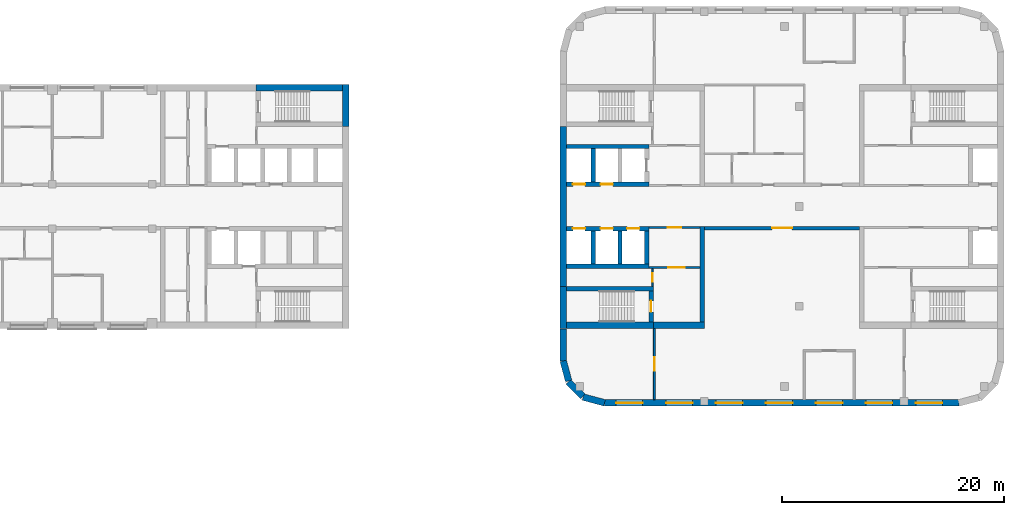
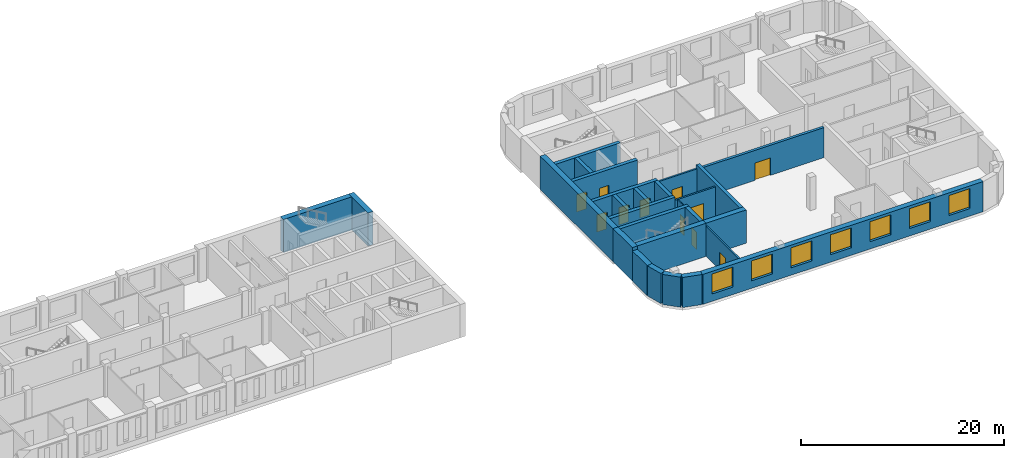
# One storey, part 7 of 12: 27 walls, 11 doors, 7 windows, 18 openings.
"""IFC4 building model written with IfcOpenShell, lengths in metres."""

from ifc_helpers import new_model, si_unit, direction, frame, frame_2d, origin, place, context, subcontext, project, spatial, rectangle, extrude, material, layer, layer_set, type_object, element, fill, save


model = new_model("IFC4")

# Units and contexts
model_context = context("Model", 3, precision=1e-05, world=origin(), true_north=direction((0.0, 1.0)))
body_context = subcontext(model_context, "Body", "Model", "MODEL_VIEW")
ifc_project = project(units=[si_unit("LENGTHUNIT", "METRE"), si_unit("AREAUNIT", "SQUARE_METRE"), si_unit("VOLUMEUNIT", "CUBIC_METRE"), si_unit("PLANEANGLEUNIT", "RADIAN"), si_unit("MASSUNIT", "GRAM", prefix="KILO")], contexts=[model_context])

# Site, building, storey
site_placement = place(None, origin())
site = spatial("IfcSite", under=ifc_project, at=site_placement, CompositionType="ELEMENT")
building_placement = place(site_placement, origin())
building = spatial("IfcBuilding", under=site, at=building_placement, Name="Skarvind Civic Tower", CompositionType="ELEMENT")
storey_placement = place(building_placement, frame((0.0, 0.0, 63.5)))
storey = spatial("IfcBuildingStorey", under=building, at=storey_placement, Name="L14", CompositionType="ELEMENT", Elevation=63.5)

# Wall, opening, door
ifc_material_1 = material(Name="Acoustic gypsum board on steel studs", Category="steel")
ifc_layer_1 = layer(ifc_material_1, 0.175048828125)
ifc_layer_set_1 = layer_set([ifc_layer_1], Name="ACOUSTIC MEETING-ROOM PARTITION 175")
wall_type_1 = type_object("IfcWallType", Name="ACOUSTIC MEETING-ROOM PARTITION 175", PredefinedType="PARTITIONING", material=ifc_layer_set_1)
wall_1_placement = place(storey_placement, frame((135.5, 117.0, 0.0), z_axis=(0.0, 0.0, 1.0), x_axis=(0.0, -1.0, 0.0)))
wall_1 = element("IfcWall", 1, at=wall_1_placement, inside=storey, type_object=wall_type_1, Name="Partition 14.001", PredefinedType="PARTITIONING", context=body_context, shape_type="SweptSolid", body=[
    extrude(rectangle(XDim=6.39990234375, YDim=0.175048828125, at=frame_2d((3.199951171875, 0.0))), origin(), (0.0, 0.0, 1.0), 3.625),
])
opening_1_placement = place(wall_1_placement, frame((2.60009765625, 0.0, 0.0)))
opening_1 = element("IfcOpeningElement", 2, at=opening_1_placement, cuts=wall_1, Name="Opening L14-D111", PredefinedType="OPENING", context=body_context, shape_type="SweptSolid", body=[
    extrude(rectangle(XDim=1.199951171875, YDim=2.10009765625, at=frame_2d((0.60009765625, 1.050048828125))), frame((0.0, 0.097412109375, 0.0), z_axis=(0.0, -1.0, 0.0), x_axis=(1.0, 0.0, 0.0)), (0.0, 0.0, 1.0), 0.195068359375),
])
ifc_material_2 = material(Name="Timber door leaf", Category="wood")
door_type_1 = type_object("IfcDoorType", Name="DOOR 1200X2100 DOUBLE TIMBER", OperationType="NOTDEFINED", PredefinedType="DOOR", material=ifc_material_2)
door_1_placement = place(opening_1_placement, origin())
door_1 = element("IfcDoor", 3, at=door_1_placement, inside=storey, type_object=door_type_1, Name="Door L14-D111", OperationType="DOUBLE_DOOR_SINGLE_SWING", OverallHeight=2.10009765625, OverallWidth=1.199951171875, PredefinedType="DOOR", context=body_context, shape_type="SweptSolid", body=[
    extrude(rectangle(XDim=1.199951171875, YDim=2.10009765625, at=frame_2d((0.60009765625, 1.050048828125))), frame((0.0, 0.02490234375, 0.0), z_axis=(0.0, -1.0, 0.0), x_axis=(1.0, 0.0, 0.0)), (0.0, 0.0, 1.0), 0.050048828125),
])
fill(opening_1, door_1)

ifc_material_3 = material(Name="Fire-rated gypsum board on steel studs", Category="steel")
ifc_layer_2 = layer(ifc_material_3, 0.300048828125)
ifc_layer_set_2 = layer_set([ifc_layer_2], Name="CORRIDOR WALL 300")
wall_type_2 = type_object("IfcWallType", Name="CORRIDOR WALL 300", PredefinedType="PARTITIONING", material=ifc_layer_set_2)
wall_2_placement = place(storey_placement, frame((154.0, 126.050048828125, 0.0), z_axis=(0.0, 0.0, 1.0), x_axis=(-1.0, 0.0, 0.0)))
wall_2 = element("IfcWall", 4, at=wall_2_placement, inside=storey, type_object=wall_type_2, Name="Partition 14.015", PredefinedType="PARTITIONING", context=body_context, shape_type="SweptSolid", body=[
    extrude(rectangle(XDim=14.0, YDim=0.300048828125, at=frame_2d((7.0, 0.0))), origin(), (0.0, 0.0, 1.0), 3.625),
])
opening_2_placement = place(wall_2_placement, frame((6.10009765625, 0.0, 0.0)))
opening_2 = element("IfcOpeningElement", 5, at=opening_2_placement, cuts=wall_2, Name="Opening L14-D109", PredefinedType="OPENING", context=body_context, shape_type="SweptSolid", body=[
    extrude(rectangle(XDim=1.800048828125, YDim=2.10009765625, at=frame_2d((0.89990234375, 1.050048828125))), frame((0.0, 0.159912109375, 0.0), z_axis=(0.0, -1.0, 0.0), x_axis=(1.0, 0.0, 0.0)), (0.0, 0.0, 1.0), 0.320068359375),
])
ifc_material_4 = material(Name="Fire-rated timber door leaf", Category="wood")
door_type_2 = type_object("IfcDoorType", Name="FD4 1800x2100", OperationType="NOTDEFINED", PredefinedType="DOOR", material=ifc_material_4)
door_2_placement = place(opening_2_placement, origin())
door_2 = element("IfcDoor", 6, at=door_2_placement, inside=storey, type_object=door_type_2, Name="Door L14-D109", OperationType="DOUBLE_DOOR_SINGLE_SWING", OverallHeight=2.10009765625, OverallWidth=1.800048828125, PredefinedType="DOOR", context=body_context, shape_type="SweptSolid", body=[
    extrude(rectangle(XDim=1.800048828125, YDim=2.10009765625, at=frame_2d((0.89990234375, 1.050048828125))), frame((0.0, 0.02490234375, 0.0), z_axis=(0.0, -1.0, 0.0), x_axis=(1.0, 0.0, 0.0)), (0.0, 0.0, 1.0), 0.050048828125),
])
fill(opening_2, door_2)

ifc_material_5 = material(Name="Fire-rated masonry partition", Category="masonry")
ifc_layer_3 = layer(ifc_material_5, 0.199951171875)
ifc_layer_set_3 = layer_set([ifc_layer_3], Name="Core enclosure wall 200")
wall_type_3 = type_object("IfcWallType", Name="Core enclosure wall 200", PredefinedType="PARTITIONING", material=ifc_layer_set_3)
wall_3_placement = place(storey_placement, frame((139.60009765625, 126.10009765625, 0.0), z_axis=(0.0, 0.0, 1.0), x_axis=(-1.0, 0.0, 0.0)))
wall_3 = element("IfcWall", 7, at=wall_3_placement, inside=storey, type_object=wall_type_3, Name="Core wall CA", PredefinedType="PARTITIONING", context=body_context, shape_type="SweptSolid", body=[
    extrude(rectangle(XDim=4.60009765625, YDim=0.199951171875, at=frame_2d((2.300048828125, 0.0))), origin(), (0.0, 0.0, 1.0), 3.625),
])
opening_3_placement = place(wall_3_placement, frame((1.699951171875, 0.0, 0.0)))
opening_3 = element("IfcOpeningElement", 8, at=opening_3_placement, cuts=wall_3, Name="Opening D-L14-CA-10", PredefinedType="OPENING", context=body_context, shape_type="SweptSolid", body=[
    extrude(rectangle(XDim=1.199951171875, YDim=2.10009765625, at=frame_2d((0.60009765625, 1.050048828125))), frame((0.0, 0.10986328125, 0.0), z_axis=(0.0, -1.0, 0.0), x_axis=(1.0, 0.0, 0.0)), (0.0, 0.0, 1.0), 0.219970703125),
])
ifc_material_6 = material(Name="Fire-rated steel door", Category="steel")
door_type_3 = type_object("IfcDoorType", Name="Core lobby door 1200", OperationType="NOTDEFINED", PredefinedType="DOOR", material=ifc_material_6)
door_3_placement = place(opening_3_placement, origin())
door_3 = element("IfcDoor", 9, at=door_3_placement, inside=storey, type_object=door_type_3, Name="Fire door", OperationType="DOUBLE_DOOR_SINGLE_SWING", OverallHeight=2.10009765625, OverallWidth=1.199951171875, PredefinedType="DOOR", context=body_context, shape_type="SweptSolid", body=[
    extrude(rectangle(XDim=1.199951171875, YDim=2.10009765625, at=frame_2d((0.60009765625, 1.050048828125))), frame((0.0, 0.02490234375, 0.0), z_axis=(0.0, -1.0, 0.0), x_axis=(1.0, 0.0, 0.0)), (0.0, 0.0, 1.0), 0.050048828125),
])
fill(opening_3, door_3)

wall_4_placement = place(storey_placement, frame((139.60009765625, 122.5, 0.0), z_axis=(0.0, 0.0, 1.0), x_axis=(-1.0, 0.0, 0.0)))
wall_4 = element("IfcWall", 10, at=wall_4_placement, inside=storey, type_object=wall_type_3, Name="Core wall CA", PredefinedType="PARTITIONING", context=body_context, shape_type="SweptSolid", body=[
    extrude(rectangle(XDim=4.60009765625, YDim=0.199951171875, at=frame_2d((2.300048828125, 0.0))), origin(), (0.0, 0.0, 1.0), 3.625),
])
opening_4_placement = place(wall_4_placement, frame((1.35009765625, 0.0, 0.0)))
opening_4 = element("IfcOpeningElement", 11, at=opening_4_placement, cuts=wall_4, Name="Opening D-L14-CA-11", PredefinedType="OPENING", context=body_context, shape_type="SweptSolid", body=[
    extrude(rectangle(XDim=1.5, YDim=2.10009765625, at=frame_2d((0.75, 1.050048828125))), frame((0.0, 0.10986328125, 0.0), z_axis=(0.0, -1.0, 0.0), x_axis=(1.0, 0.0, 0.0)), (0.0, 0.0, 1.0), 0.219970703125),
])
door_type_4 = type_object("IfcDoorType", Name="Fire door 1500", OperationType="NOTDEFINED", PredefinedType="DOOR", material=ifc_material_6)
door_4_placement = place(opening_4_placement, origin())
door_4 = element("IfcDoor", 12, at=door_4_placement, inside=storey, type_object=door_type_4, Name="Fire door", OperationType="DOUBLE_DOOR_SINGLE_SWING", OverallHeight=2.10009765625, OverallWidth=1.5, PredefinedType="DOOR", context=body_context, shape_type="SweptSolid", body=[
    extrude(rectangle(XDim=1.5, YDim=2.10009765625, at=frame_2d((0.75, 1.050048828125))), frame((0.0, 0.02490234375, 0.0), z_axis=(0.0, -1.0, 0.0), x_axis=(1.0, 0.0, 0.0)), (0.0, 0.0, 1.0), 0.050048828125),
])
fill(opening_4, door_4)

# Wall
ifc_material_7 = material(Name="Concrete C80", Category="concrete")
ifc_layer_4 = layer(ifc_material_7, 0.39990234375)
ifc_layer_set_4 = layer_set([ifc_layer_4], Name="Core wall 400 C80")
wall_type_4 = type_object("IfcWallType", Name="Core wall 400 C80", PredefinedType="SHEAR", material=ifc_layer_set_4)
wall_5_placement = place(storey_placement, frame((127.60009765625, 120.60009765625, 0.0), z_axis=(0.0, 0.0, 1.0), x_axis=(1.0, 0.0, 0.0)))
element("IfcWall", 13, at=wall_5_placement, inside=storey, type_object=wall_type_4, Name="Core wall CA south stair inner L14", PredefinedType="SHEAR", context=body_context, shape_type="SweptSolid", body=[
    extrude(rectangle(XDim=7.7998046875, YDim=0.39990234375, at=frame_2d((3.89990234375, 0.0))), origin(), (0.0, 0.0, 1.0), 4.0),
])

# Wall, opening, door
wall_6_placement = place(storey_placement, frame((135.199951171875, 117.60009765625, 0.0), z_axis=(0.0, 0.0, 1.0), x_axis=(0.0, 1.0, 0.0)))
wall_6 = element("IfcWall", 14, at=wall_6_placement, inside=storey, type_object=wall_type_4, Name="Core wall CA south stair end L14", PredefinedType="SHEAR", context=body_context, shape_type="SweptSolid", body=[
    extrude(rectangle(XDim=2.7998046875, YDim=0.39990234375, at=frame_2d((1.39990234375, 0.0))), origin(), (0.0, 0.0, 1.0), 4.0),
])
opening_5_placement = place(wall_6_placement, frame((0.89990234375, 0.0, 0.0)))
opening_5 = element("IfcOpeningElement", 15, at=opening_5_placement, cuts=wall_6, Name="Opening D-L14-CA-12", PredefinedType="OPENING", context=body_context, shape_type="SweptSolid", body=[
    extrude(rectangle(XDim=1.0, YDim=2.10009765625, at=frame_2d((0.5, 1.050048828125))), frame((0.0, 0.2099609375, 0.0), z_axis=(0.0, -1.0, 0.0), x_axis=(1.0, 0.0, 0.0)), (0.0, 0.0, 1.0), 0.419921875),
])
door_type_5 = type_object("IfcDoorType", Name="Fire door 1000", OperationType="NOTDEFINED", PredefinedType="DOOR", material=ifc_material_6)
door_5_placement = place(opening_5_placement, origin())
door_5 = element("IfcDoor", 16, at=door_5_placement, inside=storey, type_object=door_type_5, Name="Fire door", OperationType="SINGLE_SWING_RIGHT", OverallHeight=2.10009765625, OverallWidth=1.0, PredefinedType="DOOR", context=body_context, shape_type="SweptSolid", body=[
    extrude(rectangle(XDim=1.0, YDim=2.10009765625, at=frame_2d((0.5, 1.050048828125))), frame((0.0, 0.02490234375, 0.0), z_axis=(0.0, -1.0, 0.0), x_axis=(1.0, 0.0, 0.0)), (0.0, 0.0, 1.0), 0.050048828125),
])
fill(opening_5, door_5)

# Wall, openings, doors
wall_7_placement = place(storey_placement, frame((127.60009765625, 126.0, 0.0), z_axis=(0.0, 0.0, 1.0), x_axis=(1.0, 0.0, 0.0)))
wall_7 = element("IfcWall", 17, at=wall_7_placement, inside=storey, type_object=wall_type_4, Name="Core wall CA south lift row front L14", PredefinedType="SHEAR", context=body_context, shape_type="SweptSolid", body=[
    extrude(rectangle(XDim=7.39990234375, YDim=0.39990234375, at=frame_2d((3.699951171875, 0.0))), origin(), (0.0, 0.0, 1.0), 4.0),
])
opening_6_placement = place(wall_7_placement, frame((0.550048828125, 0.0, 0.0)))
opening_6 = element("IfcOpeningElement", 18, at=opening_6_placement, cuts=wall_7, Name="Opening LD16304", PredefinedType="OPENING", context=body_context, shape_type="SweptSolid", body=[
    extrude(rectangle(XDim=1.10009765625, YDim=2.10009765625, at=frame_2d((0.550048828125, 1.050048828125))), frame((0.0, 0.2099609375, 0.0), z_axis=(0.0, -1.0, 0.0), x_axis=(1.0, 0.0, 0.0)), (0.0, 0.0, 1.0), 0.419921875),
])
opening_7_placement = place(wall_7_placement, frame((3.050048828125, 0.0, 0.0)))
opening_7 = element("IfcOpeningElement", 19, at=opening_7_placement, cuts=wall_7, Name="Opening LD16305", PredefinedType="OPENING", context=body_context, shape_type="SweptSolid", body=[
    extrude(rectangle(XDim=1.10009765625, YDim=2.10009765625, at=frame_2d((0.550048828125, 1.050048828125))), frame((0.0, 0.2099609375, 0.0), z_axis=(0.0, -1.0, 0.0), x_axis=(1.0, 0.0, 0.0)), (0.0, 0.0, 1.0), 0.419921875),
])
opening_8_placement = place(wall_7_placement, frame((5.449951171875, 0.0, 0.0)))
opening_8 = element("IfcOpeningElement", 20, at=opening_8_placement, cuts=wall_7, Name="Opening LD16306", PredefinedType="OPENING", context=body_context, shape_type="SweptSolid", body=[
    extrude(rectangle(XDim=1.10009765625, YDim=2.10009765625, at=frame_2d((0.550048828125, 1.050048828125))), frame((0.0, 0.2099609375, 0.0), z_axis=(0.0, -1.0, 0.0), x_axis=(1.0, 0.0, 0.0)), (0.0, 0.0, 1.0), 0.419921875),
])
ifc_material_8 = material(Name="Stainless steel landing door", Category="steel")
door_type_6 = type_object("IfcDoorType", Name="Lift landing door 1100", OperationType="DOUBLE_DOOR_SLIDING", PredefinedType="DOOR", material=ifc_material_8)
door_6_placement = place(opening_6_placement, origin())
door_6 = element("IfcDoor", 21, at=door_6_placement, inside=storey, type_object=door_type_6, Name="Lift landing door", OperationType="DOUBLE_DOOR_SLIDING", OverallHeight=2.10009765625, OverallWidth=1.10009765625, PredefinedType="DOOR", context=body_context, shape_type="SweptSolid", body=[
    extrude(rectangle(XDim=1.10009765625, YDim=2.10009765625, at=frame_2d((0.550048828125, 1.050048828125))), frame((0.0, 0.02490234375, 0.0), z_axis=(0.0, -1.0, 0.0), x_axis=(1.0, 0.0, 0.0)), (0.0, 0.0, 1.0), 0.050048828125),
])
fill(opening_6, door_6)
door_7_placement = place(opening_7_placement, origin())
door_7 = element("IfcDoor", 22, at=door_7_placement, inside=storey, type_object=door_type_6, Name="Lift landing door", OperationType="DOUBLE_DOOR_SLIDING", OverallHeight=2.10009765625, OverallWidth=1.10009765625, PredefinedType="DOOR", context=body_context, shape_type="SweptSolid", body=[
    extrude(rectangle(XDim=1.10009765625, YDim=2.10009765625, at=frame_2d((0.550048828125, 1.050048828125))), frame((0.0, 0.02490234375, 0.0), z_axis=(0.0, -1.0, 0.0), x_axis=(1.0, 0.0, 0.0)), (0.0, 0.0, 1.0), 0.050048828125),
])
fill(opening_7, door_7)
door_8_placement = place(opening_8_placement, origin())
door_8 = element("IfcDoor", 23, at=door_8_placement, inside=storey, type_object=door_type_6, Name="Lift landing door", OperationType="DOUBLE_DOOR_SLIDING", OverallHeight=2.10009765625, OverallWidth=1.10009765625, PredefinedType="DOOR", context=body_context, shape_type="SweptSolid", body=[
    extrude(rectangle(XDim=1.10009765625, YDim=2.10009765625, at=frame_2d((0.550048828125, 1.050048828125))), frame((0.0, 0.02490234375, 0.0), z_axis=(0.0, -1.0, 0.0), x_axis=(1.0, 0.0, 0.0)), (0.0, 0.0, 1.0), 0.050048828125),
])
fill(opening_8, door_8)

# Walls
wall_8_placement = place(storey_placement, frame((127.60009765625, 122.60009765625, 0.0), z_axis=(0.0, 0.0, 1.0), x_axis=(1.0, 0.0, 0.0)))
element("IfcWall", 24, at=wall_8_placement, inside=storey, type_object=wall_type_4, Name="Core wall CA south lift row back L14", PredefinedType="SHEAR", context=body_context, shape_type="SweptSolid", body=[
    extrude(rectangle(XDim=7.39990234375, YDim=0.39990234375, at=frame_2d((3.699951171875, 0.0))), origin(), (0.0, 0.0, 1.0), 4.0),
])
for number, where, z_axis, x_axis, name in (
    (25, (130.0, 122.800048828125, 0.0), (0.0, 0.0, 1.0), (0.0, 1.0, 0.0), "Core wall CA south lift row division 1 L14"),
    (26, (132.39990234375, 122.800048828125, 0.0), (0.0, 0.0, 1.0), (0.0, 1.0, 0.0), "Core wall CA south lift row division 2 L14"),
    (27, (134.800048828125, 122.800048828125, 0.0), (0.0, 0.0, 1.0), (0.0, 1.0, 0.0), "Core wall CA south lift row division 3 L14"),
):
    element("IfcWall", number, at=place(storey_placement, frame(where, z_axis=z_axis, x_axis=x_axis)), inside=storey, type_object=wall_type_4, Name=name, PredefinedType="SHEAR", context=body_context, shape_type="SweptSolid", body=[
        extrude(rectangle(XDim=3.0, YDim=0.39990234375, at=frame_2d((1.5, 0.0))), origin(), (0.0, 0.0, 1.0), 4.0),
    ])

# Wall, openings, doors
wall_9_placement = place(storey_placement, frame((127.60009765625, 130.0, 0.0), z_axis=(0.0, 0.0, 1.0), x_axis=(1.0, 0.0, 0.0)))
wall_9 = element("IfcWall", 28, at=wall_9_placement, inside=storey, type_object=wall_type_4, Name="Core wall CA north lift row front L14", PredefinedType="SHEAR", context=body_context, shape_type="SweptSolid", body=[
    extrude(rectangle(XDim=7.39990234375, YDim=0.39990234375, at=frame_2d((3.699951171875, 0.0))), origin(), (0.0, 0.0, 1.0), 4.0),
])
opening_9_placement = place(wall_9_placement, frame((0.550048828125, 0.0, 0.0)))
opening_9 = element("IfcOpeningElement", 29, at=opening_9_placement, cuts=wall_9, Name="Opening LD16301", PredefinedType="OPENING", context=body_context, shape_type="SweptSolid", body=[
    extrude(rectangle(XDim=1.10009765625, YDim=2.10009765625, at=frame_2d((0.550048828125, 1.050048828125))), frame((0.0, 0.2099609375, 0.0), z_axis=(0.0, -1.0, 0.0), x_axis=(1.0, 0.0, 0.0)), (0.0, 0.0, 1.0), 0.419921875),
])
opening_10_placement = place(wall_9_placement, frame((3.050048828125, 0.0, 0.0)))
opening_10 = element("IfcOpeningElement", 30, at=opening_10_placement, cuts=wall_9, Name="Opening LD16302", PredefinedType="OPENING", context=body_context, shape_type="SweptSolid", body=[
    extrude(rectangle(XDim=1.10009765625, YDim=2.10009765625, at=frame_2d((0.550048828125, 1.050048828125))), frame((0.0, 0.2099609375, 0.0), z_axis=(0.0, -1.0, 0.0), x_axis=(1.0, 0.0, 0.0)), (0.0, 0.0, 1.0), 0.419921875),
])
door_9_placement = place(opening_9_placement, origin())
door_9 = element("IfcDoor", 31, at=door_9_placement, inside=storey, type_object=door_type_6, Name="Lift landing door", OperationType="DOUBLE_DOOR_SLIDING", OverallHeight=2.10009765625, OverallWidth=1.10009765625, PredefinedType="DOOR", context=body_context, shape_type="SweptSolid", body=[
    extrude(rectangle(XDim=1.10009765625, YDim=2.10009765625, at=frame_2d((0.550048828125, 1.050048828125))), frame((0.0, 0.02490234375, 0.0), z_axis=(0.0, -1.0, 0.0), x_axis=(1.0, 0.0, 0.0)), (0.0, 0.0, 1.0), 0.050048828125),
])
fill(opening_9, door_9)
door_10_placement = place(opening_10_placement, origin())
door_10 = element("IfcDoor", 32, at=door_10_placement, inside=storey, type_object=door_type_6, Name="Lift landing door", OperationType="DOUBLE_DOOR_SLIDING", OverallHeight=2.10009765625, OverallWidth=1.10009765625, PredefinedType="DOOR", context=body_context, shape_type="SweptSolid", body=[
    extrude(rectangle(XDim=1.10009765625, YDim=2.10009765625, at=frame_2d((0.550048828125, 1.050048828125))), frame((0.0, 0.02490234375, 0.0), z_axis=(0.0, -1.0, 0.0), x_axis=(1.0, 0.0, 0.0)), (0.0, 0.0, 1.0), 0.050048828125),
])
fill(opening_10, door_10)

# Walls
wall_10_placement = place(storey_placement, frame((127.60009765625, 133.39990234375, 0.0), z_axis=(0.0, 0.0, 1.0), x_axis=(1.0, 0.0, 0.0)))
element("IfcWall", 33, at=wall_10_placement, inside=storey, type_object=wall_type_4, Name="Core wall CA north lift row back L14", PredefinedType="SHEAR", context=body_context, shape_type="SweptSolid", body=[
    extrude(rectangle(XDim=7.39990234375, YDim=0.39990234375, at=frame_2d((3.699951171875, 0.0))), origin(), (0.0, 0.0, 1.0), 4.0),
])
wall_11_placement = place(storey_placement, frame((130.0, 130.199951171875, 0.0), z_axis=(0.0, 0.0, 1.0), x_axis=(0.0, 1.0, 0.0)))
element("IfcWall", 34, at=wall_11_placement, inside=storey, type_object=wall_type_4, Name="Core wall CA north lift row division 1 L14", PredefinedType="SHEAR", context=body_context, shape_type="SweptSolid", body=[
    extrude(rectangle(XDim=3.0, YDim=0.39990234375, at=frame_2d((1.5, 0.0))), origin(), (0.0, 0.0, 1.0), 4.0),
])
wall_12_placement = place(storey_placement, frame((139.800048828125, 117.60009765625, 0.0), z_axis=(0.0, 0.0, 1.0), x_axis=(0.0, 1.0, 0.0)))
element("IfcWall", 35, at=wall_12_placement, inside=storey, type_object=wall_type_4, Name="Core wall CA south inner face L14", PredefinedType="SHEAR", context=body_context, shape_type="SweptSolid", body=[
    extrude(rectangle(XDim=8.599853515625, YDim=0.39990234375, at=frame_2d((4.2998046875, 0.0))), origin(), (0.0, 0.0, 1.0), 4.0),
])
ifc_layer_5 = layer(ifc_material_7, 0.60009765625)
ifc_layer_set_5 = layer_set([ifc_layer_5], Name="Core wall 600 C80")
wall_type_5 = type_object("IfcWallType", Name="Core wall 600 C80", PredefinedType="SHEAR", material=ifc_layer_set_5)
wall_13_placement = place(storey_placement, frame((107.699951171875, 139.0, 0.0), z_axis=(0.0, 0.0, 1.0), x_axis=(0.0, -1.0, 0.0)))
element("IfcWall", 36, at=wall_13_placement, inside=storey, type_object=wall_type_5, Name="Core wall C1 tip at the south stair L14", PredefinedType="SHEAR", context=body_context, shape_type="SweptSolid", body=[
    extrude(rectangle(XDim=3.800048828125, YDim=0.60009765625, at=frame_2d((1.89990234375, 0.0))), origin(), (0.0, 0.0, 1.0), 4.0),
])
wall_14_placement = place(storey_placement, frame((107.39990234375, 138.699951171875, 0.0), z_axis=(0.0, 0.0, 1.0), x_axis=(-1.0, 0.0, 0.0)))
element("IfcWall", 37, at=wall_14_placement, inside=storey, type_object=wall_type_5, Name="Core wall C1 south side at the stair L14", PredefinedType="SHEAR", context=body_context, shape_type="SweptSolid", body=[
    extrude(rectangle(XDim=7.7998046875, YDim=0.60009765625, at=frame_2d((3.89990234375, 0.0))), origin(), (0.0, 0.0, 1.0), 4.0),
])
wall_15_placement = place(storey_placement, frame((127.300048828125, 117.0, 0.0), z_axis=(0.0, 0.0, 1.0), x_axis=(0.0, 1.0, 0.0)))
element("IfcWall", 38, at=wall_15_placement, inside=storey, type_object=wall_type_5, Name="Core wall CA tip at the south stair L14", PredefinedType="SHEAR", context=body_context, shape_type="SweptSolid", body=[
    extrude(rectangle(XDim=3.800048828125, YDim=0.60009765625, at=frame_2d((1.89990234375, 0.0))), origin(), (0.0, 0.0, 1.0), 4.0),
])
wall_16_placement = place(storey_placement, frame((127.300048828125, 120.800048828125, 0.0), z_axis=(0.0, 0.0, 1.0), x_axis=(0.0, 1.0, 0.0)))
element("IfcWall", 39, at=wall_16_placement, inside=storey, type_object=wall_type_5, Name="Core wall CA tip between the stairs L14", PredefinedType="SHEAR", context=body_context, shape_type="SweptSolid", body=[
    extrude(rectangle(XDim=14.39990234375, YDim=0.60009765625, at=frame_2d((7.199951171875, 0.0))), origin(), (0.0, 0.0, 1.0), 4.0),
])
wall_17_placement = place(storey_placement, frame((127.60009765625, 117.300048828125, 0.0), z_axis=(0.0, 0.0, 1.0), x_axis=(1.0, 0.0, 0.0)))
element("IfcWall", 40, at=wall_17_placement, inside=storey, type_object=wall_type_5, Name="Core wall CA south side at the stair L14", PredefinedType="SHEAR", context=body_context, shape_type="SweptSolid", body=[
    extrude(rectangle(XDim=7.7998046875, YDim=0.60009765625, at=frame_2d((3.89990234375, 0.0))), origin(), (0.0, 0.0, 1.0), 4.0),
])
wall_18_placement = place(storey_placement, frame((135.39990234375, 117.300048828125, 0.0), z_axis=(0.0, 0.0, 1.0), x_axis=(1.0, 0.0, 0.0)))
element("IfcWall", 41, at=wall_18_placement, inside=storey, type_object=wall_type_5, Name="Core wall CA south side L14", PredefinedType="SHEAR", context=body_context, shape_type="SweptSolid", body=[
    extrude(rectangle(XDim=4.60009765625, YDim=0.60009765625, at=frame_2d((2.300048828125, 0.0))), origin(), (0.0, 0.0, 1.0), 4.0),
])

# Wall, opening, door
ifc_layer_6 = layer(ifc_material_5, 0.125)
ifc_layer_set_6 = layer_set([ifc_layer_6], Name="Riser wall 125")
wall_type_6 = type_object("IfcWallType", Name="Riser wall 125", PredefinedType="PARTITIONING", material=ifc_layer_set_6)
wall_19_placement = place(storey_placement, frame((135.33740234375, 122.39990234375, 0.0), z_axis=(0.0, 0.0, 1.0), x_axis=(0.0, -1.0, 0.0)))
wall_19 = element("IfcWall", 42, at=wall_19_placement, inside=storey, type_object=wall_type_6, Name="Core wall CA", PredefinedType="PARTITIONING", context=body_context, shape_type="SweptSolid", body=[
    extrude(rectangle(XDim=1.599853515625, YDim=0.125, at=frame_2d((0.7998046875, 0.0))), origin(), (0.0, 0.0, 1.0), 3.625),
])
opening_11_placement = place(wall_19_placement, frame((0.39990234375, 0.0, 0.0)))
opening_11 = element("IfcOpeningElement", 43, at=opening_11_placement, cuts=wall_19, Name="Opening D-L14-CA-13", PredefinedType="OPENING", context=body_context, shape_type="SweptSolid", body=[
    extrude(rectangle(XDim=0.800048828125, YDim=2.10009765625, at=frame_2d((0.39990234375, 1.050048828125))), frame((0.0, 0.072509765625, 0.0), z_axis=(0.0, -1.0, 0.0), x_axis=(1.0, 0.0, 0.0)), (0.0, 0.0, 1.0), 0.14501953125),
])
door_type_7 = type_object("IfcDoorType", Name="Core riser door 800", OperationType="NOTDEFINED", PredefinedType="DOOR", material=ifc_material_6)
door_11_placement = place(opening_11_placement, origin())
door_11 = element("IfcDoor", 44, at=door_11_placement, inside=storey, type_object=door_type_7, Name="Riser door", OperationType="SINGLE_SWING_LEFT", OverallHeight=2.10009765625, OverallWidth=0.800048828125, PredefinedType="DOOR", context=body_context, shape_type="SweptSolid", body=[
    extrude(rectangle(XDim=0.800048828125, YDim=2.10009765625, at=frame_2d((0.39990234375, 1.050048828125))), frame((0.0, 0.02490234375, 0.0), z_axis=(0.0, -1.0, 0.0), x_axis=(1.0, 0.0, 0.0)), (0.0, 0.0, 1.0), 0.050048828125),
])
fill(opening_11, door_11)

# Walls
ifc_material_9 = material(Name="Limestone masonry cladding on insulated backing", Category="masonry")
ifc_layer_7 = layer(ifc_material_9, 0.60009765625)
ifc_layer_set_7 = layer_set([ifc_layer_7], Name="WX1 STONE FACADE WALL 600")
wall_type_7 = type_object("IfcWallType", Name="WX1 STONE FACADE WALL 600", PredefinedType="SOLIDWALL", material=ifc_layer_set_7)
wall_20_placement = place(storey_placement, frame((127.300048828125, 114.070068359375, 0.0), z_axis=(0.0, 0.0, 1.0), x_axis=(0.0, 1.0, 0.0)))
element("IfcWall", 45, at=wall_20_placement, inside=storey, type_object=wall_type_7, Name="STONE FACADE WALL", PredefinedType="SOLIDWALL", context=body_context, shape_type="SweptSolid", body=[
    extrude(rectangle(XDim=2.909912109375, YDim=0.60009765625, at=frame_2d((1.455078125, 0.0))), origin(), (0.0, 0.0, 1.0), 3.625),
])
for number, where, z_axis, x_axis, name in (
    (46, (127.771240234375, 112.280517578125, 0.0), (0.0, 0.0, 1.0), (-0.258773254036, 0.965938094805, 0.0), "STONE FACADE WALL"),
    (47, (129.063720703125, 110.896484375, 0.0), (0.0, 0.0, 1.0), (-0.707106781187, 0.707106781187, 0.0), "STONE FACADE WALL"),
):
    element("IfcWall", number, at=place(storey_placement, frame(where, z_axis=z_axis, x_axis=x_axis)), inside=storey, type_object=wall_type_7, Name=name, PredefinedType="SOLIDWALL", context=body_context, shape_type="SweptSolid", body=[
        extrude(rectangle(XDim=1.860595703125, YDim=0.60009765625, at=frame_2d((0.93017578125, 0.0))), origin(), (0.0, 0.0, 1.0), 3.625),
    ])
wall_21_placement = place(storey_placement, frame((131.010009765625, 110.307861328125, 0.0), z_axis=(0.0, 0.0, 1.0), x_axis=(-0.965920269068, 0.258839784042, 0.0)))
element("IfcWall", 48, at=wall_21_placement, inside=storey, type_object=wall_type_7, Name="STONE FACADE WALL", PredefinedType="SOLIDWALL", context=body_context, shape_type="SweptSolid", body=[
    extrude(rectangle(XDim=2.00048828125, YDim=0.60009765625, at=frame_2d((1.000244140625, 0.0))), origin(), (0.0, 0.0, 1.0), 3.625),
])

# Wall, openings, windows
wall_22_placement = place(storey_placement, frame((162.929931640625, 110.300048828125, 0.0), z_axis=(0.0, 0.0, 1.0), x_axis=(-1.0, 0.0, 0.0)))
wall_22 = element("IfcWall", 49, at=wall_22_placement, inside=storey, type_object=wall_type_7, Name="STONE FACADE WALL", PredefinedType="SOLIDWALL", context=body_context, shape_type="SweptSolid", body=[
    extrude(rectangle(XDim=31.929931640625, YDim=0.60009765625, at=frame_2d((15.96484375, 0.0))), origin(), (0.0, 0.0, 1.0), 3.625),
])
opening_12_placement = place(wall_22_placement, frame((1.47998046875, 0.0, 0.89990234375)))
opening_12 = element("IfcOpeningElement", 50, at=opening_12_placement, cuts=wall_22, Name="Opening WN9", PredefinedType="OPENING", context=body_context, shape_type="SweptSolid", body=[
    extrude(rectangle(XDim=2.39990234375, YDim=2.39990234375, at=frame_2d((1.199951171875, 1.199951171875))), frame((0.0, 0.31005859375, 0.0), z_axis=(0.0, -1.0, 0.0), x_axis=(1.0, 0.0, 0.0)), (0.0, 0.0, 1.0), 0.6201171875),
])
opening_13_placement = place(wall_22_placement, frame((5.97998046875, 0.0, 0.89990234375)))
opening_13 = element("IfcOpeningElement", 51, at=opening_13_placement, cuts=wall_22, Name="Opening WN9", PredefinedType="OPENING", context=body_context, shape_type="SweptSolid", body=[
    extrude(rectangle(XDim=2.39990234375, YDim=2.39990234375, at=frame_2d((1.199951171875, 1.199951171875))), frame((0.0, 0.31005859375, 0.0), z_axis=(0.0, -1.0, 0.0), x_axis=(1.0, 0.0, 0.0)), (0.0, 0.0, 1.0), 0.6201171875),
])
opening_14_placement = place(wall_22_placement, frame((10.47998046875, 0.0, 0.89990234375)))
opening_14 = element("IfcOpeningElement", 52, at=opening_14_placement, cuts=wall_22, Name="Opening WN9", PredefinedType="OPENING", context=body_context, shape_type="SweptSolid", body=[
    extrude(rectangle(XDim=2.39990234375, YDim=2.39990234375, at=frame_2d((1.199951171875, 1.199951171875))), frame((0.0, 0.31005859375, 0.0), z_axis=(0.0, -1.0, 0.0), x_axis=(1.0, 0.0, 0.0)), (0.0, 0.0, 1.0), 0.6201171875),
])
opening_15_placement = place(wall_22_placement, frame((14.97998046875, 0.0, 0.89990234375)))
opening_15 = element("IfcOpeningElement", 53, at=opening_15_placement, cuts=wall_22, Name="Opening WN9", PredefinedType="OPENING", context=body_context, shape_type="SweptSolid", body=[
    extrude(rectangle(XDim=2.39990234375, YDim=2.39990234375, at=frame_2d((1.199951171875, 1.199951171875))), frame((0.0, 0.31005859375, 0.0), z_axis=(0.0, -1.0, 0.0), x_axis=(1.0, 0.0, 0.0)), (0.0, 0.0, 1.0), 0.6201171875),
])
opening_16_placement = place(wall_22_placement, frame((19.47998046875, 0.0, 0.89990234375)))
opening_16 = element("IfcOpeningElement", 54, at=opening_16_placement, cuts=wall_22, Name="Opening WN9", PredefinedType="OPENING", context=body_context, shape_type="SweptSolid", body=[
    extrude(rectangle(XDim=2.39990234375, YDim=2.39990234375, at=frame_2d((1.199951171875, 1.199951171875))), frame((0.0, 0.31005859375, 0.0), z_axis=(0.0, -1.0, 0.0), x_axis=(1.0, 0.0, 0.0)), (0.0, 0.0, 1.0), 0.6201171875),
])
opening_17_placement = place(wall_22_placement, frame((23.97998046875, 0.0, 0.89990234375)))
opening_17 = element("IfcOpeningElement", 55, at=opening_17_placement, cuts=wall_22, Name="Opening WN9", PredefinedType="OPENING", context=body_context, shape_type="SweptSolid", body=[
    extrude(rectangle(XDim=2.39990234375, YDim=2.39990234375, at=frame_2d((1.199951171875, 1.199951171875))), frame((0.0, 0.31005859375, 0.0), z_axis=(0.0, -1.0, 0.0), x_axis=(1.0, 0.0, 0.0)), (0.0, 0.0, 1.0), 0.6201171875),
])
opening_18_placement = place(wall_22_placement, frame((28.47998046875, 0.0, 0.89990234375)))
opening_18 = element("IfcOpeningElement", 56, at=opening_18_placement, cuts=wall_22, Name="Opening WN9", PredefinedType="OPENING", context=body_context, shape_type="SweptSolid", body=[
    extrude(rectangle(XDim=2.39990234375, YDim=2.39990234375, at=frame_2d((1.199951171875, 1.199951171875))), frame((0.0, 0.31005859375, 0.0), z_axis=(0.0, -1.0, 0.0), x_axis=(1.0, 0.0, 0.0)), (0.0, 0.0, 1.0), 0.6201171875),
])
ifc_material_10 = material(Name="Timber frame, double glazing, timber-lined reveal", Category="wood")
window_type = type_object("IfcWindowType", Name="WN9 COMPANION TOWER WINDOW 2400 x 2400", PartitioningType="SINGLE_PANEL", PredefinedType="WINDOW", material=ifc_material_10)
window_1_placement = place(opening_12_placement, origin())
window_1 = element("IfcWindow", 57, at=window_1_placement, inside=storey, type_object=window_type, Name="WN9 WINDOW", OverallHeight=2.39990234375, OverallWidth=2.39990234375, PartitioningType="SINGLE_PANEL", PredefinedType="WINDOW", context=body_context, shape_type="SweptSolid", body=[
    extrude(rectangle(XDim=2.39990234375, YDim=2.39990234375, at=frame_2d((1.199951171875, 1.199951171875))), frame((0.0, 0.030029296875, 0.0), z_axis=(0.0, -1.0, 0.0), x_axis=(1.0, 0.0, 0.0)), (0.0, 0.0, 1.0), 0.06005859375),
])
fill(opening_12, window_1)
window_2_placement = place(opening_13_placement, origin())
window_2 = element("IfcWindow", 58, at=window_2_placement, inside=storey, type_object=window_type, Name="WN9 WINDOW", OverallHeight=2.39990234375, OverallWidth=2.39990234375, PartitioningType="SINGLE_PANEL", PredefinedType="WINDOW", context=body_context, shape_type="SweptSolid", body=[
    extrude(rectangle(XDim=2.39990234375, YDim=2.39990234375, at=frame_2d((1.199951171875, 1.199951171875))), frame((0.0, 0.030029296875, 0.0), z_axis=(0.0, -1.0, 0.0), x_axis=(1.0, 0.0, 0.0)), (0.0, 0.0, 1.0), 0.06005859375),
])
fill(opening_13, window_2)
window_3_placement = place(opening_14_placement, origin())
window_3 = element("IfcWindow", 59, at=window_3_placement, inside=storey, type_object=window_type, Name="WN9 WINDOW", OverallHeight=2.39990234375, OverallWidth=2.39990234375, PartitioningType="SINGLE_PANEL", PredefinedType="WINDOW", context=body_context, shape_type="SweptSolid", body=[
    extrude(rectangle(XDim=2.39990234375, YDim=2.39990234375, at=frame_2d((1.199951171875, 1.199951171875))), frame((0.0, 0.030029296875, 0.0), z_axis=(0.0, -1.0, 0.0), x_axis=(1.0, 0.0, 0.0)), (0.0, 0.0, 1.0), 0.06005859375),
])
fill(opening_14, window_3)
window_4_placement = place(opening_15_placement, origin())
window_4 = element("IfcWindow", 60, at=window_4_placement, inside=storey, type_object=window_type, Name="WN9 WINDOW", OverallHeight=2.39990234375, OverallWidth=2.39990234375, PartitioningType="SINGLE_PANEL", PredefinedType="WINDOW", context=body_context, shape_type="SweptSolid", body=[
    extrude(rectangle(XDim=2.39990234375, YDim=2.39990234375, at=frame_2d((1.199951171875, 1.199951171875))), frame((0.0, 0.030029296875, 0.0), z_axis=(0.0, -1.0, 0.0), x_axis=(1.0, 0.0, 0.0)), (0.0, 0.0, 1.0), 0.06005859375),
])
fill(opening_15, window_4)
window_5_placement = place(opening_16_placement, origin())
window_5 = element("IfcWindow", 61, at=window_5_placement, inside=storey, type_object=window_type, Name="WN9 WINDOW", OverallHeight=2.39990234375, OverallWidth=2.39990234375, PartitioningType="SINGLE_PANEL", PredefinedType="WINDOW", context=body_context, shape_type="SweptSolid", body=[
    extrude(rectangle(XDim=2.39990234375, YDim=2.39990234375, at=frame_2d((1.199951171875, 1.199951171875))), frame((0.0, 0.030029296875, 0.0), z_axis=(0.0, -1.0, 0.0), x_axis=(1.0, 0.0, 0.0)), (0.0, 0.0, 1.0), 0.06005859375),
])
fill(opening_16, window_5)
window_6_placement = place(opening_17_placement, origin())
window_6 = element("IfcWindow", 62, at=window_6_placement, inside=storey, type_object=window_type, Name="WN9 WINDOW", OverallHeight=2.39990234375, OverallWidth=2.39990234375, PartitioningType="SINGLE_PANEL", PredefinedType="WINDOW", context=body_context, shape_type="SweptSolid", body=[
    extrude(rectangle(XDim=2.39990234375, YDim=2.39990234375, at=frame_2d((1.199951171875, 1.199951171875))), frame((0.0, 0.030029296875, 0.0), z_axis=(0.0, -1.0, 0.0), x_axis=(1.0, 0.0, 0.0)), (0.0, 0.0, 1.0), 0.06005859375),
])
fill(opening_17, window_6)
window_7_placement = place(opening_18_placement, origin())
window_7 = element("IfcWindow", 63, at=window_7_placement, inside=storey, type_object=window_type, Name="WN9 WINDOW", OverallHeight=2.39990234375, OverallWidth=2.39990234375, PartitioningType="SINGLE_PANEL", PredefinedType="WINDOW", context=body_context, shape_type="SweptSolid", body=[
    extrude(rectangle(XDim=2.39990234375, YDim=2.39990234375, at=frame_2d((1.199951171875, 1.199951171875))), frame((0.0, 0.030029296875, 0.0), z_axis=(0.0, -1.0, 0.0), x_axis=(1.0, 0.0, 0.0)), (0.0, 0.0, 1.0), 0.06005859375),
])
fill(opening_18, window_7)

save(model, "model.ifc")
